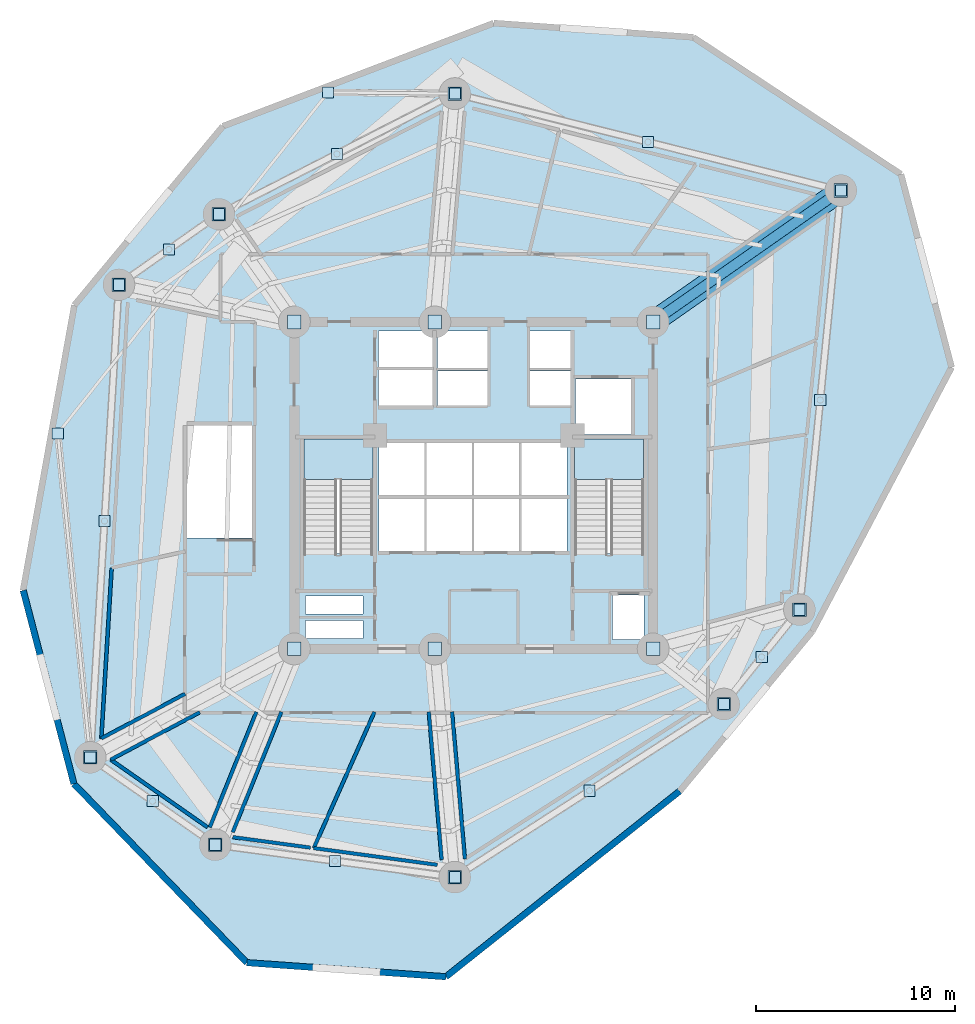
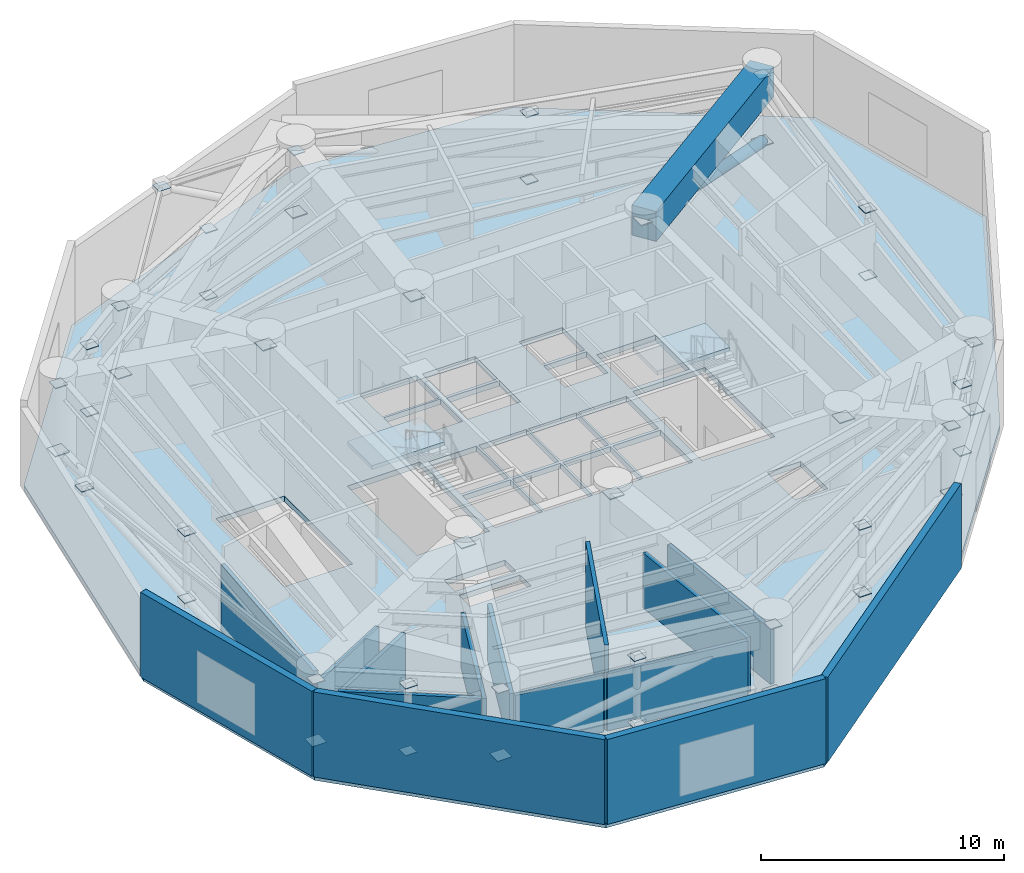
# One storey, part 6 of 13: 44 plates, 15 walls, 3 slabs, 1 beam, 1 member, 2 elements without a shape of their own.
"""IFC4 building model written with IfcOpenShell, lengths in metres."""

from ifc_helpers import new_model, si_unit, direction, frame, frame_2d, origin, origin_with_axes, origin_2d, place, context, subcontext, project, spatial, polyline, rectangle, hollow_circle, outline, extrude, source, transform, mapped, material, layer, layer_set, material_profile, profile_set, type_object, element, aggregate, save


model = new_model("IFC4")

# Units and contexts
model_context = context("Model", 3, precision=1e-05, world=origin(), true_north=direction((0.0, 1.0)))
body_context = subcontext(model_context, "Body", "Model", "MODEL_VIEW")
ifc_project = project(units=[si_unit("LENGTHUNIT", "METRE"), si_unit("AREAUNIT", "SQUARE_METRE"), si_unit("VOLUMEUNIT", "CUBIC_METRE"), si_unit("PLANEANGLEUNIT", "RADIAN"), si_unit("MASSUNIT", "GRAM", prefix="KILO")], contexts=[model_context])

# Site, building, storey
site_placement = place(None, origin())
site = spatial("IfcSite", under=ifc_project, at=site_placement, CompositionType="ELEMENT")
building_placement = place(site_placement, origin())
building = spatial("IfcBuilding", under=site, at=building_placement, Name="Karkom Vertical University and Central Library", CompositionType="ELEMENT")
storey_placement = place(building_placement, frame((0.0, 0.0, 87.699951171875)))
storey = spatial("IfcBuildingStorey", under=building, at=storey_placement, Name="P23", CompositionType="ELEMENT", Elevation=87.699951171875)

# Beam
ifc_material_1 = material(Name="Concrete C50/60", Category="concrete")
ifc_material_profile_1 = material_profile(ifc_material_1, rectangle(XDim=1.10009765625, YDim=1.5, at=origin_2d()), Name="TG-1100x1500")
ifc_profile_set_1 = profile_set([ifc_material_profile_1], Name="Concrete C50/60")
beam_type = type_object("IfcBeamType", Name="STR-BM-TG-1", PredefinedType="USERDEFINED", material=ifc_profile_set_1)
shared_shape_1 = source(origin_with_axes(), body_context, "Body", "SweptSolid", [
    extrude(rectangle(XDim=1.10009765625, YDim=1.5, at=origin_2d()), origin(), (0.0, 0.0, 1.0), 11.49951171875),
])
beam_placement = place(storey_placement, frame((37.5, 34.699951171875, 3.525146484375), z_axis=(0.81915012564, 0.573579176457, 0.0), x_axis=(-0.573579176457, 0.81915012564, 0.0)))
element("IfcBeam", 1, at=beam_placement, inside=storey, type_object=beam_type, Name="Plant Level 23 Radial Frame Girder 02", ObjectType="GIRDER", PredefinedType="USERDEFINED", context=body_context, shape_type="MappedRepresentation", body=[
    mapped(shared_shape_1, transform((0.0, 0.0, 0.0), scale=1.0)),
])

# Member
ifc_material_2 = material(Name="Steel S460", Category="steel")
ifc_material_profile_2 = material_profile(ifc_material_2, hollow_circle(Radius=0.25390625, WallThickness=0.02490234375, at=origin_2d()), Name="CHS 508x25")
ifc_profile_set_2 = profile_set([ifc_material_profile_2], Name="Steel S460")
member_type = type_object("IfcMemberType", Name="STR-MEM-BR-1", PredefinedType="BRACE", material=ifc_profile_set_2)
shared_shape_2 = source(origin_with_axes(), body_context, "Body", "SweptSolid", [
    extrude(hollow_circle(Radius=0.25390625, WallThickness=0.02490234375, at=origin_2d()), origin(), (0.0, 0.0, 1.0), 11.984619140625),
])
member_placement = place(storey_placement, frame((37.5, 34.699951171875, 3.72509765625), z_axis=(0.785998262427, 0.550365826664, -0.281609993256), x_axis=(-0.573579176457, 0.81915012564, 0.0)))
element("IfcMember", 2, at=member_placement, inside=storey, type_object=member_type, Name="Plant Level 23 Outrigger Truss Diagonal 02", PredefinedType="BRACE", context=body_context, shape_type="MappedRepresentation", body=[
    mapped(shared_shape_2, transform((0.0, 0.0, 0.0), scale=1.0)),
])

# Stair, slab
ifc_material_3 = material(Name="Concrete C45/55", Category="concrete")
stair_type = type_object("IfcStairType", Name="INT-STR-ST-MAIN", PredefinedType="HALF_TURN_STAIR", material=ifc_material_3)
stair_1_placement = place(storey_placement, origin())
stair_1 = element("IfcStair", 3, at=stair_1_placement, inside=storey, type_object=stair_type, Name="Plant Level 23 Tower Protected Exit Stair ST-1", PredefinedType="HALF_TURN_STAIR")
ifc_layer_1 = layer(ifc_material_3, 0.199951171875)
ifc_layer_set_1 = layer_set([ifc_layer_1], Name="Concrete C45/55")
slab_type_1 = type_object("IfcSlabType", Name="INT-SLB-LANDING", PredefinedType="LANDING", material=ifc_layer_set_1)
slab_1_placement = place(storey_placement, frame((0.0, 0.0, 2.050048828125)))
slab_1 = element("IfcSlab", 4, at=slab_1_placement, type_object=slab_type_1, Name="ST-1 landing 1", PredefinedType="LANDING", context=body_context, shape_type="SweptSolid", body=[
    extrude(outline(polyline([(23.43994140625, 26.7900390625), (23.43994140625, 28.820068359375), (19.97998046875, 28.820068359375), (19.97998046875, 26.7900390625), (23.43994140625, 26.7900390625)])), origin(), (0.0, 0.0, 1.0), 0.199951171875),
])
aggregate(stair_1, [slab_1])

stair_2_placement = place(storey_placement, origin())
stair_2 = element("IfcStair", 5, at=stair_2_placement, inside=storey, type_object=stair_type, Name="Plant Level 23 Tower Protected Exit Stair ST-2", PredefinedType="HALF_TURN_STAIR")
slab_2_placement = place(storey_placement, frame((0.0, 0.0, 2.050048828125)))
slab_2 = element("IfcSlab", 6, at=slab_2_placement, type_object=slab_type_1, Name="ST-2 landing 1", PredefinedType="LANDING", context=body_context, shape_type="SweptSolid", body=[
    extrude(outline(polyline([(37.02001953125, 26.7900390625), (37.02001953125, 28.820068359375), (33.56005859375, 28.820068359375), (33.56005859375, 26.7900390625), (37.02001953125, 26.7900390625)])), origin(), (0.0, 0.0, 1.0), 0.199951171875),
])
aggregate(stair_2, [slab_2])

# Slab
ifc_layer_2 = layer(ifc_material_3, 0.27490234375)
ifc_layer_set_2 = layer_set([ifc_layer_2], Name="Concrete C45/55")
slab_type_2 = type_object("IfcSlabType", Name="STR-SLB-FLR-275", PredefinedType="FLOOR", material=ifc_layer_set_2)
slab_3_placement = place(storey_placement, frame((0.0, 0.0, -0.27490234375)))
element("IfcSlab", 7, at=slab_3_placement, inside=storey, type_object=slab_type_2, Name="Plant Level 23 Tower Structural Floor Slab", PredefinedType="FLOOR", context=body_context, shape_type="SweptSolid", body=[
    extrude(outline(polyline([(15.914794921875, 44.517822265625), (8.46826171875, 35.5419921875), (5.89453125, 21.233154296875), (8.43896484375, 11.529296875), (17.116943359375, 2.557373046875), (27.1025390625, 1.85009765625), (38.831298828125, 11.164306640625), (45.4794921875, 19.177978515625), (52.46826171875, 32.4248046875), (49.92919921875, 42.10791015625), (39.50927734375, 48.980224609375), (29.50244140625, 49.689208984375), (15.914794921875, 44.517822265625)]), holes=[polyline([(19.97998046875, 23.0849609375), (23.43994140625, 23.0849609375), (23.43994140625, 28.820068359375), (19.97998046875, 28.820068359375), (19.97998046875, 23.0849609375)]), polyline([(33.56005859375, 23.0849609375), (37.02001953125, 23.0849609375), (37.02001953125, 28.820068359375), (33.56005859375, 28.820068359375), (33.56005859375, 23.0849609375)]), polyline([(14.1201171875, 23.864990234375), (17.3798828125, 23.864990234375), (17.3798828125, 29.5), (14.1201171875, 29.5), (14.1201171875, 23.864990234375)]), polyline([(23.75, 23.199951171875), (26.030029296875, 23.199951171875), (26.030029296875, 25.85009765625), (23.75, 25.85009765625), (23.75, 23.199951171875)]), polyline([(26.1298828125, 23.199951171875), (28.409912109375, 23.199951171875), (28.409912109375, 25.85009765625), (26.1298828125, 25.85009765625), (26.1298828125, 23.199951171875)]), polyline([(28.510009765625, 23.199951171875), (30.7900390625, 23.199951171875), (30.7900390625, 25.85009765625), (28.510009765625, 25.85009765625), (28.510009765625, 23.199951171875)]), polyline([(30.889892578125, 23.199951171875), (33.169921875, 23.199951171875), (33.169921875, 25.85009765625), (30.889892578125, 25.85009765625), (30.889892578125, 23.199951171875)]), polyline([(23.75, 26.0), (26.030029296875, 26.0), (26.030029296875, 28.64990234375), (23.75, 28.64990234375), (23.75, 26.0)]), polyline([(26.1298828125, 26.0), (28.409912109375, 26.0), (28.409912109375, 28.64990234375), (26.1298828125, 28.64990234375), (26.1298828125, 26.0)]), polyline([(28.510009765625, 26.0), (30.7900390625, 26.0), (30.7900390625, 28.64990234375), (28.510009765625, 28.64990234375), (28.510009765625, 26.0)]), polyline([(30.889892578125, 26.0), (33.169921875, 26.0), (33.169921875, 28.64990234375), (30.889892578125, 28.64990234375), (30.889892578125, 26.0)]), polyline([(26.679931640625, 30.5), (29.199951171875, 30.5), (29.199951171875, 32.25), (26.679931640625, 32.25), (26.679931640625, 30.5)]), polyline([(26.679931640625, 32.39990234375), (29.199951171875, 32.39990234375), (29.199951171875, 34.25), (26.679931640625, 34.25), (26.679931640625, 32.39990234375)]), polyline([(31.300048828125, 30.5), (33.35009765625, 30.5), (33.35009765625, 32.25), (31.300048828125, 32.25), (31.300048828125, 30.5)]), polyline([(31.300048828125, 32.39990234375), (33.35009765625, 32.39990234375), (33.35009765625, 34.25), (31.300048828125, 34.25), (31.300048828125, 32.39990234375)]), polyline([(23.719970703125, 30.47998046875), (26.429931640625, 30.47998046875), (26.429931640625, 32.320068359375), (23.719970703125, 32.320068359375), (23.719970703125, 30.47998046875)]), polyline([(23.719970703125, 32.419921875), (26.429931640625, 32.419921875), (26.429931640625, 34.260009765625), (23.719970703125, 34.260009765625), (23.719970703125, 32.419921875)]), polyline([(33.60009765625, 29.050048828125), (36.39990234375, 29.050048828125), (36.39990234375, 31.85009765625), (33.60009765625, 31.85009765625), (33.60009765625, 29.050048828125)]), polyline([(20.050048828125, 18.820068359375), (22.949951171875, 18.820068359375), (22.949951171875, 19.719970703125), (20.050048828125, 19.719970703125), (20.050048828125, 18.820068359375)]), polyline([(20.050048828125, 20.06005859375), (22.949951171875, 20.06005859375), (22.949951171875, 20.9599609375), (20.050048828125, 20.9599609375), (20.050048828125, 20.06005859375)]), polyline([(35.4599609375, 18.760009765625), (37.0400390625, 18.760009765625), (37.0400390625, 21.010009765625), (35.4599609375, 21.010009765625), (35.4599609375, 18.760009765625)])]), origin(), (0.0, 0.0, 1.0), 0.27490234375),
])

# Plates
ifc_material_4 = material(Name="Steel S355", Category="steel")
ifc_layer_3 = layer(ifc_material_4, 0.028076171875)
ifc_layer_set_3 = layer_set([ifc_layer_3], Name="Steel S355")
plate_type_1 = type_object("IfcPlateType", Name="STR-PLT-GP-2", PredefinedType="USERDEFINED", material=ifc_layer_set_3)
shared_shape_3 = source(origin_with_axes(), body_context, "Body", "SweptSolid", [
    extrude(rectangle(XDim=0.56005859375, YDim=0.56005859375, at=origin_2d()), origin(), (0.0, 0.0, 1.0), 0.028076171875),
])
for number, where, z_axis, x_axis, name in (
    (8, (21.193603515625, 46.218994140625, 4.09619140625), (0.0, 0.0, 1.0), (1.0, 0.0, 0.0), "Plant Level 23 Node Gusset Cap Plate P23-SKG-KNEE-1 B"),
    (9, (7.6337890625, 29.110595703125, 4.09619140625), (0.0, 0.0, 1.0), (1.0, 0.0, 0.0), "Plant Level 23 Node Gusset Cap Plate P23-SKG-KNEE-2 B"),
    (10, (46.919921875, 41.2958984375, 3.7109375), (0.0, 0.0, 1.0), (1.0, 0.0, 0.0), "Plant Level 23 Node Gusset Cap Plate P23-BELT-BRACE-01 B"),
    (11, (45.880615234375, 30.781494140625, 0.3359375), (0.0, 0.0, 1.0), (1.0, 0.0, 0.0), "Plant Level 23 Node Gusset Cap Plate P23-BELT-POST-01 A"),
    (12, (45.880615234375, 30.781494140625, 3.7109375), (0.0, 0.0, 1.0), (1.0, 0.0, 0.0), "Plant Level 23 Node Gusset Cap Plate P23-BELT-POST-01 B"),
    (13, (27.552001953125, 46.156005859375, 3.7109375), (0.0, 0.0, 1.0), (1.0, 0.0, 0.0), "Plant Level 23 Node Gusset Cap Plate P23-BELT-BRACE-02 B"),
    (14, (37.236083984375, 43.72607421875, 0.3359375), (0.0, 0.0, 1.0), (1.0, 0.0, 0.0), "Plant Level 23 Node Gusset Cap Plate P23-BELT-POST-02 A"),
    (15, (37.236083984375, 43.72607421875, 3.7109375), (0.0, 0.0, 1.0), (1.0, 0.0, 0.0), "Plant Level 23 Node Gusset Cap Plate P23-BELT-POST-02 B"),
    (16, (15.714111328125, 40.10595703125, 3.7109375), (0.0, 0.0, 1.0), (1.0, 0.0, 0.0), "Plant Level 23 Node Gusset Cap Plate P23-BELT-BRACE-03 B"),
    (17, (21.633056640625, 43.131103515625, 0.3359375), (0.0, 0.0, 1.0), (1.0, 0.0, 0.0), "Plant Level 23 Node Gusset Cap Plate P23-BELT-POST-03 A"),
    (18, (21.633056640625, 43.131103515625, 3.7109375), (0.0, 0.0, 1.0), (1.0, 0.0, 0.0), "Plant Level 23 Node Gusset Cap Plate P23-BELT-POST-03 B"),
    (19, (10.697021484375, 36.571044921875, 3.7109375), (0.0, 0.0, 1.0), (1.0, 0.0, 0.0), "Plant Level 23 Node Gusset Cap Plate P23-BELT-BRACE-04 B"),
    (20, (13.20556640625, 38.33837890625, 0.3359375), (0.0, 0.0, 1.0), (1.0, 0.0, 0.0), "Plant Level 23 Node Gusset Cap Plate P23-BELT-POST-04 A"),
    (21, (13.20556640625, 38.33837890625, 3.7109375), (0.0, 0.0, 1.0), (1.0, 0.0, 0.0), "Plant Level 23 Node Gusset Cap Plate P23-BELT-POST-04 B"),
    (22, (9.258056640625, 12.85400390625, 3.7109375), (0.0, 0.0, 1.0), (1.0, 0.0, 0.0), "Plant Level 23 Node Gusset Cap Plate P23-BELT-BRACE-05 B"),
    (23, (9.9775390625, 24.71240234375, 0.3359375), (0.0, 0.0, 1.0), (1.0, 0.0, 0.0), "Plant Level 23 Node Gusset Cap Plate P23-BELT-POST-05 A"),
    (24, (9.9775390625, 24.71240234375, 3.7109375), (0.0, 0.0, 1.0), (1.0, 0.0, 0.0), "Plant Level 23 Node Gusset Cap Plate P23-BELT-POST-05 B"),
    (25, (15.529052734375, 8.471923828125, 3.7109375), (0.0, 0.0, 1.0), (1.0, 0.0, 0.0), "Plant Level 23 Node Gusset Cap Plate P23-BELT-BRACE-06 B"),
    (26, (12.3935546875, 10.6630859375, 0.3359375), (0.0, 0.0, 1.0), (1.0, 0.0, 0.0), "Plant Level 23 Node Gusset Cap Plate P23-BELT-POST-06 A"),
    (27, (12.3935546875, 10.6630859375, 3.7109375), (0.0, 0.0, 1.0), (1.0, 0.0, 0.0), "Plant Level 23 Node Gusset Cap Plate P23-BELT-POST-06 B"),
    (28, (27.552001953125, 6.843994140625, 3.7109375), (0.0, 0.0, 1.0), (1.0, 0.0, 0.0), "Plant Level 23 Node Gusset Cap Plate P23-BELT-BRACE-07 B"),
    (29, (21.54052734375, 7.657958984375, 0.3359375), (0.0, 0.0, 1.0), (1.0, 0.0, 0.0), "Plant Level 23 Node Gusset Cap Plate P23-BELT-POST-07 A"),
    (30, (21.54052734375, 7.657958984375, 3.7109375), (0.0, 0.0, 1.0), (1.0, 0.0, 0.0), "Plant Level 23 Node Gusset Cap Plate P23-BELT-POST-07 B"),
    (31, (41.0458984375, 15.530029296875, 3.7109375), (0.0, 0.0, 1.0), (1.0, 0.0, 0.0), "Plant Level 23 Node Gusset Cap Plate P23-BELT-BRACE-08 B"),
    (32, (34.299072265625, 11.18701171875, 0.3359375), (0.0, 0.0, 1.0), (1.0, 0.0, 0.0), "Plant Level 23 Node Gusset Cap Plate P23-BELT-POST-08 A"),
    (33, (34.299072265625, 11.18701171875, 3.7109375), (0.0, 0.0, 1.0), (1.0, 0.0, 0.0), "Plant Level 23 Node Gusset Cap Plate P23-BELT-POST-08 B"),
    (34, (44.841064453125, 20.26708984375, 3.7109375), (0.0, 0.0, 1.0), (1.0, 0.0, 0.0), "Plant Level 23 Node Gusset Cap Plate P23-BELT-BRACE-09 B"),
    (35, (42.943603515625, 17.8984375, 0.3359375), (0.0, 0.0, 1.0), (1.0, 0.0, 0.0), "Plant Level 23 Node Gusset Cap Plate P23-BELT-POST-09 A"),
    (36, (42.943603515625, 17.8984375, 3.7109375), (0.0, 0.0, 1.0), (1.0, 0.0, 0.0), "Plant Level 23 Node Gusset Cap Plate P23-BELT-POST-09 B"),
):
    element("IfcPlate", number, at=place(storey_placement, frame(where, z_axis=z_axis, x_axis=x_axis)), inside=storey, type_object=plate_type_1, Name=name, ObjectType="GUSSET PLATE", PredefinedType="USERDEFINED", context=body_context, shape_type="MappedRepresentation", body=[
        mapped(shared_shape_3, transform((0.0, 0.0, 0.0), scale=1.0)),
    ])
ifc_layer_4 = layer(ifc_material_4, 0.031982421875)
ifc_layer_set_4 = layer_set([ifc_layer_4], Name="Steel S355")
plate_type_2 = type_object("IfcPlateType", Name="STR-PLT-GP-1", PredefinedType="USERDEFINED", material=ifc_layer_set_4)
shared_shape_4 = source(origin_with_axes(), body_context, "Body", "SweptSolid", [
    extrude(rectangle(XDim=0.679931640625, YDim=0.679931640625, at=origin_2d()), origin(), (0.0, 0.0, 1.0), 0.031982421875),
])
for number, where, z_axis, x_axis, name in (
    (37, (27.552001953125, 46.156005859375, 0.6142578125), (0.0, 0.0, 1.0), (1.0, 0.0, 0.0), "Plant Level 23 Node Gusset Cap Plate P23-SKG-KNEE-1 A"),
    (38, (9.258056640625, 12.85400390625, 0.6142578125), (0.0, 0.0, 1.0), (1.0, 0.0, 0.0), "Plant Level 23 Node Gusset Cap Plate P23-SKG-KNEE-2 A"),
    (39, (44.841064453125, 20.26708984375, 0.333984375), (0.0, 0.0, 1.0), (1.0, 0.0, 0.0), "Plant Level 23 Node Gusset Cap Plate P23-BELT-BRACE-01 A"),
    (40, (46.919921875, 41.2958984375, 0.333984375), (0.0, 0.0, 1.0), (1.0, 0.0, 0.0), "Plant Level 23 Node Gusset Cap Plate P23-BELT-CHORD-01 B"),
    (41, (15.714111328125, 40.10595703125, 0.333984375), (0.0, 0.0, 1.0), (1.0, 0.0, 0.0), "Plant Level 23 Node Gusset Cap Plate P23-BELT-CHORD-03 B"),
    (42, (10.697021484375, 36.571044921875, 0.333984375), (0.0, 0.0, 1.0), (1.0, 0.0, 0.0), "Plant Level 23 Node Gusset Cap Plate P23-BELT-CHORD-04 B"),
    (43, (15.529052734375, 8.471923828125, 0.333984375), (0.0, 0.0, 1.0), (1.0, 0.0, 0.0), "Plant Level 23 Node Gusset Cap Plate P23-BELT-CHORD-06 B"),
    (44, (27.552001953125, 6.843994140625, 0.333984375), (0.0, 0.0, 1.0), (1.0, 0.0, 0.0), "Plant Level 23 Node Gusset Cap Plate P23-BELT-CHORD-07 B"),
    (45, (41.0458984375, 15.530029296875, 0.333984375), (0.0, 0.0, 1.0), (1.0, 0.0, 0.0), "Plant Level 23 Node Gusset Cap Plate P23-BELT-CHORD-08 B"),
    (46, (37.5, 18.300048828125, 3.708984375), (0.0, 0.0, 1.0), (1.0, 0.0, 0.0), "Plant Level 23 Node Gusset Cap Plate P23-OUTRIGGER-BRACE-01 A"),
    (47, (37.5, 34.699951171875, 3.708984375), (0.0, 0.0, 1.0), (1.0, 0.0, 0.0), "Plant Level 23 Node Gusset Cap Plate P23-OUTRIGGER-BRACE-02 A"),
    (48, (26.550048828125, 34.699951171875, 3.708984375), (0.0, 0.0, 1.0), (1.0, 0.0, 0.0), "Plant Level 23 Node Gusset Cap Plate P23-OUTRIGGER-BRACE-03 A"),
    (49, (19.5, 34.699951171875, 3.708984375), (0.0, 0.0, 1.0), (1.0, 0.0, 0.0), "Plant Level 23 Node Gusset Cap Plate P23-OUTRIGGER-BRACE-04 A"),
    (50, (19.5, 18.300048828125, 3.708984375), (0.0, 0.0, 1.0), (1.0, 0.0, 0.0), "Plant Level 23 Node Gusset Cap Plate P23-OUTRIGGER-BRACE-06 A"),
    (51, (26.550048828125, 18.300048828125, 3.708984375), (0.0, 0.0, 1.0), (1.0, 0.0, 0.0), "Plant Level 23 Node Gusset Cap Plate P23-OUTRIGGER-BRACE-08 A"),
):
    element("IfcPlate", number, at=place(storey_placement, frame(where, z_axis=z_axis, x_axis=x_axis)), inside=storey, type_object=plate_type_2, Name=name, ObjectType="GUSSET PLATE", PredefinedType="USERDEFINED", context=body_context, shape_type="MappedRepresentation", body=[
        mapped(shared_shape_4, transform((0.0, 0.0, 0.0), scale=1.0)),
    ])

# Walls
ifc_material_5 = material(Name="Brick-faced precast concrete C45/55", Category="masonry")
ifc_layer_5 = layer(ifc_material_5, 0.320068359375)
ifc_layer_set_5 = layer_set([ifc_layer_5], Name="Brick-faced precast concrete C45/55")
wall_type_1 = type_object("IfcWallType", Name="ENV-WL-BRK-320", PredefinedType="SOLIDWALL", material=ifc_layer_set_5)
wall_1_placement = place(storey_placement, frame((5.89453125, 21.233154296875, 0.0), z_axis=(0.0, 0.0, 1.0), x_axis=(0.253634299375, -0.967300182043, 0.0)))
element("IfcWall", 52, at=wall_1_placement, inside=storey, type_object=wall_type_1, Name="Plant Level 23 Brick-Faced Precast Facade Wall 03", PredefinedType="SOLIDWALL", context=body_context, shape_type="SweptSolid", body=[
    extrude(rectangle(XDim=10.031982421875, YDim=0.320068359375, at=frame_2d((5.01611328125, 0.0))), origin(), (0.0, 0.0, 1.0), 4.275146484375),
])
wall_2_placement = place(storey_placement, frame((8.43896484375, 11.529296875, 0.0), z_axis=(0.0, 0.0, 1.0), x_axis=(0.695234061652, -0.71878341628, 0.0)))
element("IfcWall", 53, at=wall_2_placement, inside=storey, type_object=wall_type_1, Name="Plant Level 23 Brick-Faced Precast Facade Wall 04", PredefinedType="SOLIDWALL", context=body_context, shape_type="SweptSolid", body=[
    extrude(rectangle(XDim=12.482177734375, YDim=0.320068359375, at=frame_2d((6.2412109375, 0.0))), origin(), (0.0, 0.0, 1.0), 4.275146484375),
])
wall_3_placement = place(storey_placement, frame((17.116943359375, 2.557373046875, 0.0), z_axis=(0.0, 0.0, 1.0), x_axis=(0.997500985349, -0.070652559951, 0.0)))
element("IfcWall", 54, at=wall_3_placement, inside=storey, type_object=wall_type_1, Name="Plant Level 23 Brick-Faced Precast Facade Wall 05", PredefinedType="SOLIDWALL", context=body_context, shape_type="SweptSolid", body=[
    extrude(rectangle(XDim=10.010498046875, YDim=0.320068359375, at=frame_2d((5.00537109375, 0.0))), origin(), (0.0, 0.0, 1.0), 4.275146484375),
])
wall_4_placement = place(storey_placement, frame((27.1025390625, 1.85009765625, 0.0), z_axis=(0.0, 0.0, 1.0), x_axis=(0.783104543347, 0.62189008208, 0.0)))
element("IfcWall", 55, at=wall_4_placement, inside=storey, type_object=wall_type_1, Name="Plant Level 23 Brick-Faced Precast Facade Wall 06", PredefinedType="SOLIDWALL", context=body_context, shape_type="SweptSolid", body=[
    extrude(rectangle(XDim=14.977294921875, YDim=0.320068359375, at=frame_2d((7.48876953125, 0.0))), origin(), (0.0, 0.0, 1.0), 4.275146484375),
])
ifc_material_6 = material(Name="Twin-stud acoustic drywall 180mm", Category="gypsum")
ifc_layer_6 = layer(ifc_material_6, 0.179931640625)
ifc_layer_set_6 = layer_set([ifc_layer_6], Name="Twin-stud acoustic drywall 180mm")
wall_type_2 = type_object("IfcWallType", Name="INT-WL-TEN-180F", PredefinedType="PARTITIONING", material=ifc_layer_set_6)
wall_5_placement = place(storey_placement, frame((9.81689453125, 13.80810546875, 0.0), z_axis=(0.0, 0.0, 1.0), x_axis=(0.060568138709, 0.998164064958, 0.0)))
element("IfcWall", 56, at=wall_5_placement, inside=storey, type_object=wall_type_2, Name="Plant Level 23 Interior Partition Wall P23-PLCHW-002", PredefinedType="PARTITIONING", context=body_context, shape_type="SweptSolid", body=[
    extrude(rectangle(XDim=8.573486328125, YDim=0.179931640625, at=frame_2d((4.28662109375, 0.0))), origin(), (0.0, 0.0, 1.0), 3.375),
])
wall_6_placement = place(storey_placement, frame((20.472412109375, 8.30712890625, 0.0), z_axis=(0.0, 0.0, 1.0), x_axis=(0.407367120146, 0.913264490399, 0.0)))
element("IfcWall", 57, at=wall_6_placement, inside=storey, type_object=wall_type_2, Name="Plant Level 23 Interior Partition Wall P23-PLCHW-012", PredefinedType="PARTITIONING", context=body_context, shape_type="SweptSolid", body=[
    extrude(rectangle(XDim=7.48291015625, YDim=0.179931640625, at=frame_2d((3.741455078125, 0.0))), origin(), (0.0, 0.0, 1.0), 4.275146484375),
])
wall_7_placement = place(storey_placement, frame((26.243896484375, 15.144775390625, 0.0), z_axis=(0.0, 0.0, 1.0), x_axis=(0.087116128231, -0.996198163119, 0.0)))
element("IfcWall", 58, at=wall_7_placement, inside=storey, type_object=wall_type_2, Name="Plant Level 23 Interior Partition Wall P23-PLCHW-010", PredefinedType="PARTITIONING", context=body_context, shape_type="SweptSolid", body=[
    extrude(rectangle(XDim=7.448974609375, YDim=0.179931640625, at=frame_2d((3.724609375, 0.0))), origin(), (0.0, 0.0, 1.0), 2.775146484375),
])
wall_8_placement = place(storey_placement, frame((28.053955078125, 7.76171875, 0.0), z_axis=(0.0, 0.0, 1.0), x_axis=(-0.087131398075, 0.996196827675, 0.0)))
element("IfcWall", 59, at=wall_8_placement, inside=storey, type_object=wall_type_2, Name="Plant Level 23 Interior Partition Wall P23-PLCHW-015", PredefinedType="PARTITIONING", context=body_context, shape_type="SweptSolid", body=[
    extrude(rectangle(XDim=7.4111328125, YDim=0.179931640625, at=frame_2d((3.70556640625, 0.0))), origin(), (0.0, 0.0, 1.0), 2.775146484375),
])
wall_9_placement = place(storey_placement, frame((16.408935546875, 9.101806640625, 0.0), z_axis=(0.0, 0.0, 1.0), x_axis=(0.374632213705, 0.927173502886, 0.0)))
element("IfcWall", 60, at=wall_9_placement, inside=storey, type_object=wall_type_2, Name="Plant Level 23 Interior Partition Wall P23-PLCHW-009", PredefinedType="PARTITIONING", context=body_context, shape_type="SweptSolid", body=[
    extrude(rectangle(XDim=6.51416015625, YDim=0.179931640625, at=frame_2d((3.257080078125, 0.0))), origin(), (0.0, 0.0, 1.0), 2.775146484375),
])
wall_10_placement = place(storey_placement, frame((26.672119140625, 7.4677734375, 0.0), z_axis=(0.0, 0.0, 1.0), x_axis=(-0.990959367571, 0.134162333847, 0.0)))
element("IfcWall", 61, at=wall_10_placement, inside=storey, type_object=wall_type_2, Name="Plant Level 23 Interior Partition Wall P23-PLCHW-011", PredefinedType="PARTITIONING", context=body_context, shape_type="SweptSolid", body=[
    extrude(rectangle(XDim=6.25634765625, YDim=0.179931640625, at=frame_2d((3.128173828125, 0.0))), origin(), (0.0, 0.0, 1.0), 2.875),
])
wall_11_placement = place(storey_placement, frame((17.598388671875, 15.1416015625, 0.0), z_axis=(0.0, 0.0, 1.0), x_axis=(-0.374637585646, -0.927171332291, 0.0)))
element("IfcWall", 62, at=wall_11_placement, inside=storey, type_object=wall_type_2, Name="Plant Level 23 Interior Partition Wall P23-PLCHW-006", PredefinedType="PARTITIONING", context=body_context, shape_type="SweptSolid", body=[
    extrude(rectangle(XDim=6.244384765625, YDim=0.179931640625, at=frame_2d((3.1220703125, 0.0))), origin(), (0.0, 0.0, 1.0), 2.775146484375),
])
wall_12_placement = place(storey_placement, frame((15.142578125, 9.35205078125, 0.0), z_axis=(0.0, 0.0, 1.0), x_axis=(-0.819700282041, 0.572792674205, 0.0)))
element("IfcWall", 63, at=wall_12_placement, inside=storey, type_object=wall_type_2, Name="Plant Level 23 Interior Partition Wall P23-PLCHW-004", PredefinedType="PARTITIONING", context=body_context, shape_type="SweptSolid", body=[
    extrude(rectangle(XDim=5.9228515625, YDim=0.179931640625, at=frame_2d((2.96142578125, 0.0))), origin(), (0.0, 0.0, 1.0), 2.875),
])
wall_13_placement = place(storey_placement, frame((10.28759765625, 12.74462890625, 0.0), z_axis=(0.0, 0.0, 1.0), x_axis=(0.882947684132, 0.469471391126, 0.0)))
element("IfcWall", 64, at=wall_13_placement, inside=storey, type_object=wall_type_2, Name="Plant Level 23 Interior Partition Wall P23-PLCHW-005", PredefinedType="PARTITIONING", context=body_context, shape_type="SweptSolid", body=[
    extrude(rectangle(XDim=5.06201171875, YDim=0.179931640625, at=frame_2d((2.531005859375, 0.0))), origin(), (0.0, 0.0, 1.0), 2.775146484375),
])
wall_14_placement = place(storey_placement, frame((14.026611328125, 16.04638671875, 0.0), z_axis=(0.0, 0.0, 1.0), x_axis=(-0.882953233195, -0.469460954702, 0.0)))
element("IfcWall", 65, at=wall_14_placement, inside=storey, type_object=wall_type_2, Name="Plant Level 23 Interior Partition Wall P23-PLCHW-001", PredefinedType="PARTITIONING", context=body_context, shape_type="SweptSolid", body=[
    extrude(rectangle(XDim=4.767822265625, YDim=0.179931640625, at=frame_2d((2.3837890625, 0.0))), origin(), (0.0, 0.0, 1.0), 2.775146484375),
])
wall_15_placement = place(storey_placement, frame((20.306884765625, 8.32958984375, 0.0), z_axis=(0.0, 0.0, 1.0), x_axis=(-0.990955883797, 0.134188063433, 0.0)))
element("IfcWall", 66, at=wall_15_placement, inside=storey, type_object=wall_type_2, Name="Plant Level 23 Interior Partition Wall P23-PLCHW-008", PredefinedType="PARTITIONING", context=body_context, shape_type="SweptSolid", body=[
    extrude(rectangle(XDim=3.93359375, YDim=0.179931640625, at=frame_2d((1.966796875, 0.0))), origin(), (0.0, 0.0, 1.0), 2.875),
])

save(model, "model.ifc")
